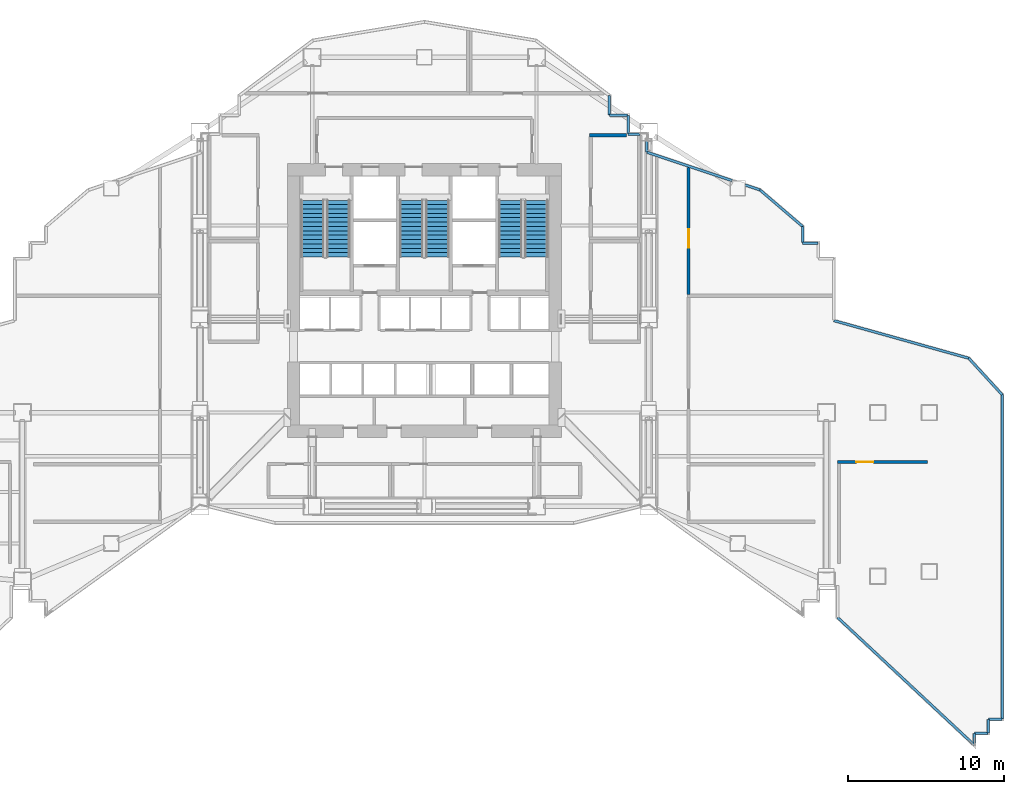
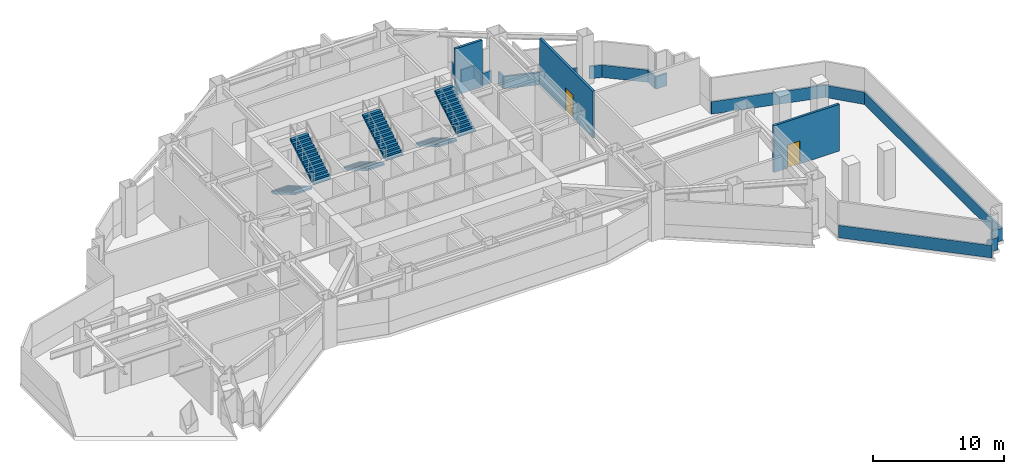
# One storey, part 16 of 23: 21 walls, 6 stair flights, 2 doors, 2 openings, 3 elements without a shape of their own.
"""IFC4 building model written with IfcOpenShell, lengths in metres."""

import ifcopenshell
import ifcopenshell.guid

model = None  # the IFC model being written
_history = None  # IfcOwnerHistory: only IFC2X3 demands one
_inside = {}  # id of a spatial element -> (the spatial element, [elements in it])
_under = {}  # id of a project, library or spatial element -> (it, [spatial elements below it])
_declared = {}  # id of a project -> (the project, [libraries it declares])
_typed = {}  # id of a type object -> (the type object, [elements of that type])
_made_of = {}  # id of a material, layer set ... -> (it, [elements and type objects made of it])


def new_model(schema):
    """Start an empty IFC model of exactly this schema.

    Asked for "IFC4X3", IfcOpenShell would pick the latest addendum, in which some entities
    have other attributes; the version numbers below select the first issue.
    IFC2X3 requires an IfcOwnerHistory on every rooted entity: one is made here for all.
    """
    global model, _history
    if schema == "IFC4X3":
        model = ifcopenshell.file(schema_version=(4, 3, 0, 0))
    else:
        model = ifcopenshell.file(schema=schema)
    _inside.clear()
    _under.clear()
    _declared.clear()
    _typed.clear()
    _made_of.clear()
    _history = None
    if model.schema == "IFC2X3":
        org = make("IfcOrganization", Name="unknown")
        user = make(
            "IfcPersonAndOrganization",
            ThePerson=make("IfcPerson", FamilyName="unknown"),
            TheOrganization=org,
        )
        app = make(
            "IfcApplication",
            ApplicationDeveloper=org,
            Version="unknown",
            ApplicationFullName="unknown",
            ApplicationIdentifier="unknown",
        )
        _history = make(
            "IfcOwnerHistory",
            OwningUser=user,
            OwningApplication=app,
            ChangeAction="ADDED",
            CreationDate=0,
        )
    return model


def make(cls, **values):
    """One entity of the class cls with the attributes given. An attribute that is None is left unset."""
    return model.create_entity(
        cls, **{name: value for name, value in values.items() if value is not None}
    )


def rooted(cls, **values):
    """An entity with a GlobalId (a new one), such as an element, a storey or a relation."""
    return make(cls, GlobalId=ifcopenshell.guid.new(), OwnerHistory=_history, **values)


def si_unit(unit_type, name, prefix=None):
    """IfcSIUnit, for example si_unit("LENGTHUNIT", "METRE", prefix="MILLI")."""
    return make("IfcSIUnit", UnitType=unit_type, Prefix=prefix, Name=name)


def assignment(units):
    """IfcUnitAssignment: the units of a project."""
    return None if units is None else make("IfcUnitAssignment", Units=units)


def point(xyz):
    """IfcCartesianPoint."""
    return None if xyz is None else make("IfcCartesianPoint", Coordinates=xyz)


def direction(xyz):
    """IfcDirection."""
    return None if xyz is None else make("IfcDirection", DirectionRatios=xyz)


def frame(location, z_axis=None, x_axis=None):
    """IfcAxis2Placement3D, a coordinate frame: its origin and axes. An axis left out is left unset."""
    return make(
        "IfcAxis2Placement3D",
        Location=point(location),
        Axis=direction(z_axis),
        RefDirection=direction(x_axis),
    )


def frame_2d(location, x_axis=None):
    """IfcAxis2Placement2D, a coordinate frame in the plane: its origin and x axis."""
    return make(
        "IfcAxis2Placement2D", Location=point(location), RefDirection=direction(x_axis)
    )


def origin():
    """The frame at (0, 0, 0) with its axes left unset."""
    return frame((0.0, 0.0, 0.0))


def place(relative_to, where):
    """IfcLocalPlacement: puts the frame where relative to a parent placement (None: the world)."""
    return make(
        "IfcLocalPlacement", PlacementRelTo=relative_to, RelativePlacement=where
    )


def context(
    kind, dimensions, precision=None, world=None, true_north=None, identifier=None
):
    """IfcGeometricRepresentationContext, for example the 3D "Model" context."""
    return make(
        "IfcGeometricRepresentationContext",
        ContextIdentifier=identifier,
        ContextType=kind,
        CoordinateSpaceDimension=dimensions,
        Precision=precision,
        WorldCoordinateSystem=world,
        TrueNorth=true_north,
    )


def subcontext(parent, identifier, kind, view, scale=None):
    """IfcGeometricRepresentationSubContext, for example "Body" below "Model"."""
    return make(
        "IfcGeometricRepresentationSubContext",
        ContextIdentifier=identifier,
        ContextType=kind,
        ParentContext=parent,
        TargetScale=scale,
        TargetView=view,
    )


def project(units=None, contexts=None):
    """IfcProject with its units and contexts."""
    return rooted(
        "IfcProject",
        Name="project",
        RepresentationContexts=contexts,
        UnitsInContext=assignment(units),
    )


def spatial(cls, under=None, at=None, **own):
    """A site, building, storey or space (cls), placed at a placement, below another one or the project."""
    s = rooted(cls, ObjectPlacement=at, **own)
    if under is not None:
        _under.setdefault(under.id(), (under, []))[1].append(s)
    return s


def polyline(points):
    """IfcPolyline through the points."""
    return make("IfcPolyline", Points=[point(p) for p in points])


def profile(cls, at=None, kind="AREA", **sizes):
    """A parametric profile (cls). Its sizes go by their IFC names, for example OverallWidth=200.0."""
    return make(cls, ProfileType=kind, Position=at, **sizes)


def rectangle(**sizes):
    """IfcRectangleProfileDef."""
    return profile("IfcRectangleProfileDef", **sizes)


def outline(outer, holes=None, kind="AREA"):
    """IfcArbitraryClosedProfileDef: a profile drawn as a closed curve; with holes, ...WithVoids."""
    if holes is None:
        return make("IfcArbitraryClosedProfileDef", ProfileType=kind, OuterCurve=outer)
    return make(
        "IfcArbitraryProfileDefWithVoids",
        ProfileType=kind,
        OuterCurve=outer,
        InnerCurves=holes,
    )


def extrude(swept, where, along, depth):
    """IfcExtrudedAreaSolid: the profile swept, set in the frame where, extruded along a direction by depth."""
    return make(
        "IfcExtrudedAreaSolid",
        SweptArea=swept,
        Position=where,
        ExtrudedDirection=direction(along),
        Depth=depth,
    )


def shape(context_of_items, identifier, shape_type, items):
    """IfcShapeRepresentation: the items that make up one representation, for example the "Body"."""
    return make(
        "IfcShapeRepresentation",
        ContextOfItems=context_of_items,
        RepresentationIdentifier=identifier,
        RepresentationType=shape_type,
        Items=items,
    )


def material(Name=None, Category=None):
    """IfcMaterial."""
    return make("IfcMaterial", Name=Name, Category=Category)


def layer(
    of_material, thickness, ventilated=None, Name=None, Category=None, Priority=None
):
    """IfcMaterialLayer: one layer of a wall or slab, of a material (None: an air gap)."""
    return make(
        "IfcMaterialLayer",
        Material=of_material,
        LayerThickness=thickness,
        IsVentilated=ventilated,
        Name=Name,
        Category=Category,
        Priority=Priority,
    )


def layer_set(layers, Name=None):
    """IfcMaterialLayerSet."""
    return make("IfcMaterialLayerSet", MaterialLayers=layers, LayerSetName=Name)


def made_of(thing, what):
    """Note that an element or type object is made of a material, layer set ...; save() writes the relation."""
    if what is not None:
        _made_of.setdefault(what.id(), (what, []))[1].append(thing)
    return thing


def type_object(cls, material=None, **own):
    """A type object (cls), such as IfcWallType, which elements share."""
    return made_of(rooted(cls, **own), material)


def element(
    cls,
    number,
    at=None,
    inside=None,
    cuts=None,
    type_object=None,
    material=None,
    context=None,
    identifier="Body",
    shape_type=None,
    held_by="IfcProductDefinitionShape",
    body=None,
    shapes=None,
    **own,
):
    """One element of the class cls, such as IfcWall. Its Tag is "e" and its number.

    at: its placement. inside: the storey or other place that contains it. cuts: it is an
    opening in that element (IfcRelVoidsElement). A single representation is given by context,
    identifier, shape_type and body (its items); several are given by shapes. held_by: the class
    of the entity that holds the representations. save() writes the other relations.
    """
    e = rooted(cls, Tag="e%d" % number, ObjectPlacement=at, **own)
    if body is not None:
        shapes = [shape(context, identifier, shape_type, body)]
    if shapes is not None:
        e.Representation = make(held_by, Representations=shapes)
    if inside is not None:
        _inside.setdefault(inside.id(), (inside, []))[1].append(e)
    if cuts is not None:
        rooted(
            "IfcRelVoidsElement", RelatingBuildingElement=cuts, RelatedOpeningElement=e
        )
    if type_object is not None:
        _typed.setdefault(type_object.id(), (type_object, []))[1].append(e)
    return made_of(e, material)


def fill(opening, filler):
    """IfcRelFillsElement: the door or window that sits in an opening."""
    return rooted(
        "IfcRelFillsElement",
        RelatingOpeningElement=opening,
        RelatedBuildingElement=filler,
    )


def aggregate(whole, parts):
    """IfcRelAggregates: a whole, such as a stair, and the parts it consists of."""
    return rooted("IfcRelAggregates", RelatingObject=whole, RelatedObjects=parts)


def save(model, path):
    """Write the relations noted so far, then the file.

    IfcRelAggregates (storeys below a building ...), IfcRelContainedInSpatialStructure (elements
    in a storey), IfcRelDefinesByType, IfcRelAssociatesMaterial and IfcRelDeclares: one each for
    every whole, place, type object, material and project.
    """
    for whole, parts in _under.values():
        aggregate(whole, parts)
    for where, things in _inside.values():
        rooted(
            "IfcRelContainedInSpatialStructure",
            RelatedElements=things,
            RelatingStructure=where,
        )
    for kind, things in _typed.values():
        rooted("IfcRelDefinesByType", RelatedObjects=things, RelatingType=kind)
    for what, things in _made_of.values():
        rooted("IfcRelAssociatesMaterial", RelatedObjects=things, RelatingMaterial=what)
    for by, libraries in _declared.values():
        rooted("IfcRelDeclares", RelatingContext=by, RelatedDefinitions=libraries)
    model.write(path)


model = new_model("IFC4")

# Units and contexts
model_context = context("Model", 3, precision=1e-05, world=origin(), true_north=direction((0.0, 1.0)))
body_context = subcontext(model_context, "Body", "Model", "MODEL_VIEW")
ifc_project = project(units=[si_unit("LENGTHUNIT", "METRE"), si_unit("AREAUNIT", "SQUARE_METRE"), si_unit("VOLUMEUNIT", "CUBIC_METRE"), si_unit("PLANEANGLEUNIT", "RADIAN"), si_unit("MASSUNIT", "GRAM", prefix="KILO")], contexts=[model_context])

# Site, building, storey
site_placement = place(None, origin())
site = spatial("IfcSite", under=ifc_project, at=site_placement, CompositionType="ELEMENT")
building_placement = place(site_placement, origin())
building = spatial("IfcBuilding", under=site, at=building_placement, Name="Haolan Belvedere Tower", CompositionType="ELEMENT")
storey_placement = place(building_placement, frame((0.0, 0.0, 89.39990234375)))
storey = spatial("IfcBuildingStorey", under=building, at=storey_placement, Name="L22", CompositionType="ELEMENT", Elevation=89.39990234375)

# Wall, opening, door
ifc_material_1 = material(Name="Concrete C40/50", Category="concrete")
ifc_layer_1 = layer(ifc_material_1, 0.199951171875, Name="Concrete C40/50")
ifc_layer_set_1 = layer_set([ifc_layer_1], Name="Concrete C40/50")
wall_type_1 = type_object("IfcWallType", Name="WL-FIRE-200", PredefinedType="SOLIDWALL", material=ifc_layer_set_1)
wall_1_placement = place(storey_placement, frame((55.360107421875, 35.18505859375, 0.0), z_axis=(0.0, 0.0, 1.0), x_axis=(0.0, 1.0, 0.0)))
wall_1 = element("IfcWall", 1, at=wall_1_placement, inside=storey, type_object=wall_type_1, Name="L22 interior partition IW-L22-REF-E2-W", PredefinedType="SOLIDWALL", context=body_context, shape_type="SweptSolid", body=[
    extrude(rectangle(XDim=8.13818359375, YDim=0.199951171875, at=frame_2d((4.069091796875, 0.0))), origin(), (0.0, 0.0, 1.0), 4.35009765625),
])
opening_1_placement = place(wall_1_placement, frame((2.9951171875, 0.0, 0.0)))
opening_1 = element("IfcOpeningElement", 2, at=opening_1_placement, cuts=wall_1, Name="Opening FD-02", PredefinedType="OPENING", context=body_context, shape_type="SweptSolid", body=[
    extrude(rectangle(XDim=1.199951171875, YDim=2.14990234375, at=frame_2d((0.60009765625, 1.074951171875))), frame((0.0, 0.10986328125, 0.0), z_axis=(0.0, -1.0, 0.0), x_axis=(1.0, 0.0, 0.0)), (0.0, 0.0, 1.0), 0.219970703125),
])
ifc_material_2 = material(Name="Galvanised fire-rated steel", Category="steel")
door_type_1 = type_object("IfcDoorType", Name="DR-FD90-1200", OperationType="NOTDEFINED", PredefinedType="DOOR", material=ifc_material_2)
door_1_placement = place(opening_1_placement, origin())
door_1 = element("IfcDoor", 3, at=door_1_placement, inside=storey, type_object=door_type_1, Name="L22 door ID-L22-REF-E2", OperationType="SINGLE_SWING_LEFT", OverallHeight=2.14990234375, OverallWidth=1.199951171875, PredefinedType="DOOR", context=body_context, shape_type="SweptSolid", body=[
    extrude(rectangle(XDim=1.199951171875, YDim=2.14990234375, at=frame_2d((0.60009765625, 1.074951171875))), frame((0.0, 0.02490234375, 0.0), z_axis=(0.0, -1.0, 0.0), x_axis=(1.0, 0.0, 0.0)), (0.0, 0.0, 1.0), 0.050048828125),
])
fill(opening_1, door_1)

# Wall
wall_2_placement = place(storey_placement, frame((49.0, 45.39990234375, 0.0), z_axis=(0.0, 0.0, 1.0), x_axis=(1.0, 0.0, 0.0)))
element("IfcWall", 4, at=wall_2_placement, inside=storey, type_object=wall_type_1, Name="L22 interior partition IW-L22-REF-EI2-N", PredefinedType="SOLIDWALL", context=body_context, shape_type="SweptSolid", body=[
    extrude(rectangle(XDim=2.387939453125, YDim=0.199951171875, at=frame_2d((1.19384765625, 0.0))), origin(), (0.0, 0.0, 1.0), 4.35009765625),
])

# Wall, opening, door
wall_3_placement = place(storey_placement, frame((64.919921875, 24.429931640625, 0.0), z_axis=(0.0, 0.0, 1.0), x_axis=(1.0, 0.0, 0.0)))
wall_3 = element("IfcWall", 5, at=wall_3_placement, inside=storey, type_object=wall_type_1, Name="L22 interior partition IW-L22-REF-ET5-N", PredefinedType="SOLIDWALL", context=body_context, shape_type="SweptSolid", body=[
    extrude(rectangle(XDim=5.760009765625, YDim=0.199951171875, at=frame_2d((2.8798828125, 0.0))), origin(), (0.0, 0.0, 1.0), 4.35009765625),
])
opening_2_placement = place(wall_3_placement, frame((2.300048828125, 0.0, 0.0), z_axis=(0.0, 0.0, 1.0), x_axis=(-1.0, 0.0, 0.0)))
opening_2 = element("IfcOpeningElement", 6, at=opening_2_placement, cuts=wall_3, Name="Opening FD-03", PredefinedType="OPENING", context=body_context, shape_type="SweptSolid", body=[
    extrude(rectangle(XDim=1.10009765625, YDim=2.14990234375, at=frame_2d((0.550048828125, 1.074951171875))), frame((0.0, 0.10986328125, 0.0), z_axis=(0.0, -1.0, 0.0), x_axis=(1.0, 0.0, 0.0)), (0.0, 0.0, 1.0), 0.219970703125),
])
door_type_2 = type_object("IfcDoorType", Name="DR-FD90-1100", OperationType="NOTDEFINED", PredefinedType="DOOR", material=ifc_material_2)
door_2_placement = place(opening_2_placement, origin())
door_2 = element("IfcDoor", 7, at=door_2_placement, inside=storey, type_object=door_type_2, Name="L22 door ID-L22-REF-ET5", OperationType="SINGLE_SWING_RIGHT", OverallHeight=2.14990234375, OverallWidth=1.10009765625, PredefinedType="DOOR", context=body_context, shape_type="SweptSolid", body=[
    extrude(rectangle(XDim=1.10009765625, YDim=2.14990234375, at=frame_2d((0.550048828125, 1.074951171875))), frame((0.0, 0.02490234375, 0.0), z_axis=(0.0, -1.0, 0.0), x_axis=(1.0, 0.0, 0.0)), (0.0, 0.0, 1.0), 0.050048828125),
])
fill(opening_2, door_2)

# Walls
ifc_material_3 = material(Name="Precast concrete C40/50", Category="concrete")
ifc_layer_2 = layer(ifc_material_3, 0.159912109375, Name="Precast concrete C40/50")
ifc_layer_set_2 = layer_set([ifc_layer_2], Name="Precast concrete C40/50")
wall_type_2 = type_object("IfcWallType", Name="WL-PAR-160", PredefinedType="PARAPET", material=ifc_layer_set_2)
wall_4_placement = place(storey_placement, frame((64.919921875, 14.4521484375, 0.0), z_axis=(0.0, 0.0, 1.0), x_axis=(0.731054590708, -0.682318976289, 0.0)))
element("IfcWall", 8, at=wall_4_placement, inside=storey, type_object=wall_type_2, Name="L22 refuge open-band parapet 21.1", PredefinedType="PARAPET", context=body_context, shape_type="SweptSolid", body=[
    extrude(rectangle(XDim=11.982666015625, YDim=0.159912109375, at=frame_2d((5.9912109375, 0.0))), origin(), (0.0, 0.0, 1.0), 1.150146484375),
])
wall_5_placement = place(storey_placement, frame((73.679931640625, 6.39599609375, 0.0), z_axis=(0.0, 0.0, 1.0), x_axis=(0.0, 1.0, 0.0)))
element("IfcWall", 9, at=wall_5_placement, inside=storey, type_object=wall_type_2, Name="L22 refuge open-band parapet 22.1", PredefinedType="PARAPET", context=body_context, shape_type="SweptSolid", body=[
    extrude(rectangle(XDim=0.6240234375, YDim=0.159912109375, at=frame_2d((0.31201171875, 0.0))), origin(), (0.0, 0.0, 1.0), 1.150146484375),
])
wall_6_placement = place(storey_placement, frame((73.7099609375, 7.02001953125, 0.0), z_axis=(0.0, 0.0, 1.0), x_axis=(1.0, 0.0, 0.0)))
element("IfcWall", 10, at=wall_6_placement, inside=storey, type_object=wall_type_2, Name="L22 refuge open-band parapet 23.1", PredefinedType="PARAPET", context=body_context, shape_type="SweptSolid", body=[
    extrude(rectangle(XDim=0.8701171875, YDim=0.159912109375, at=frame_2d((0.43505859375, 0.0))), origin(), (0.0, 0.0, 1.0), 1.150146484375),
])
for number, where, z_axis, x_axis, name in (
    (11, (74.580078125, 7.050048828125, 0.0), (0.0, 0.0, 1.0), (0.0, 1.0, 0.0), "L22 refuge open-band parapet 24.1"),
    (12, (74.610107421875, 7.919921875, 0.0), (0.0, 0.0, 1.0), (1.0, 0.0, 0.0), "L22 refuge open-band parapet 25.1"),
):
    element("IfcWall", number, at=place(storey_placement, frame(where, z_axis=z_axis, x_axis=x_axis)), inside=storey, type_object=wall_type_2, Name=name, PredefinedType="PARAPET", context=body_context, shape_type="SweptSolid", body=[
        extrude(rectangle(XDim=0.869873046875, YDim=0.159912109375, at=frame_2d((0.43505859375, 0.0))), origin(), (0.0, 0.0, 1.0), 1.150146484375),
    ])
wall_7_placement = place(storey_placement, frame((75.47998046875, 7.949951171875, 0.0), z_axis=(0.0, 0.0, 1.0), x_axis=(0.0, 1.0, 0.0)))
element("IfcWall", 13, at=wall_7_placement, inside=storey, type_object=wall_type_2, Name="L22 refuge open-band parapet 26.1", PredefinedType="PARAPET", context=body_context, shape_type="SweptSolid", body=[
    extrude(rectangle(XDim=20.803466796875, YDim=0.159912109375, at=frame_2d((10.40185546875, 0.0))), origin(), (0.0, 0.0, 1.0), 1.150146484375),
])
wall_8_placement = place(storey_placement, frame((75.47998046875, 28.75341796875, 0.0), z_axis=(0.0, 0.0, 1.0), x_axis=(-0.675755969938, 0.737125409339, 0.0)))
element("IfcWall", 14, at=wall_8_placement, inside=storey, type_object=wall_type_2, Name="L22 refuge open-band parapet 27.1", PredefinedType="PARAPET", context=body_context, shape_type="SweptSolid", body=[
    extrude(rectangle(XDim=3.174560546875, YDim=0.159912109375, at=frame_2d((1.58740234375, 0.0))), origin(), (0.0, 0.0, 1.0), 1.150146484375),
])
wall_9_placement = place(storey_placement, frame((73.334716796875, 31.093505859375, 0.0), z_axis=(0.0, 0.0, 1.0), x_axis=(-0.963196464929, 0.268798381595, 0.0)))
element("IfcWall", 15, at=wall_9_placement, inside=storey, type_object=wall_type_2, Name="L22 refuge open-band parapet 28.1", PredefinedType="PARAPET", context=body_context, shape_type="SweptSolid", body=[
    extrude(rectangle(XDim=8.985595703125, YDim=0.159912109375, at=frame_2d((4.49267578125, 0.0))), origin(), (0.0, 0.0, 1.0), 1.150146484375),
])
wall_10_placement = place(storey_placement, frame((63.64990234375, 38.47998046875, 0.0), z_axis=(0.0, 0.0, 1.0), x_axis=(-1.0, 0.0, 0.0)))
element("IfcWall", 16, at=wall_10_placement, inside=storey, type_object=wall_type_2, Name="L22 refuge open-band parapet 32.1", PredefinedType="PARAPET", context=body_context, shape_type="SweptSolid", body=[
    extrude(rectangle(XDim=0.969970703125, YDim=0.159912109375, at=frame_2d((0.48486328125, 0.0))), origin(), (0.0, 0.0, 1.0), 1.150146484375),
])
wall_11_placement = place(storey_placement, frame((62.679931640625, 38.510009765625, 0.0), z_axis=(0.0, 0.0, 1.0), x_axis=(0.0, 1.0, 0.0)))
element("IfcWall", 17, at=wall_11_placement, inside=storey, type_object=wall_type_2, Name="L22 refuge open-band parapet 33.1", PredefinedType="PARAPET", context=body_context, shape_type="SweptSolid", body=[
    extrude(rectangle(XDim=1.034912109375, YDim=0.159912109375, at=frame_2d((0.517578125, 0.0))), origin(), (0.0, 0.0, 1.0), 1.150146484375),
])
wall_12_placement = place(storey_placement, frame((62.679931640625, 39.544921875, 0.0), z_axis=(0.0, 0.0, 1.0), x_axis=(-0.759275702513, 0.650769089289, 0.0)))
element("IfcWall", 18, at=wall_12_placement, inside=storey, type_object=wall_type_2, Name="L22 refuge open-band parapet 34.1", PredefinedType="PARAPET", context=body_context, shape_type="SweptSolid", body=[
    extrude(rectangle(XDim=3.609130859375, YDim=0.159912109375, at=frame_2d((1.8046875, 0.0))), origin(), (0.0, 0.0, 1.0), 1.150146484375),
])
wall_13_placement = place(storey_placement, frame((59.939697265625, 41.8935546875, 0.0), z_axis=(0.0, 0.0, 1.0), x_axis=(-0.948683298051, 0.316227766017, 0.0)))
element("IfcWall", 19, at=wall_13_placement, inside=storey, type_object=wall_type_2, Name="L22 refuge open-band parapet 35.1", PredefinedType="PARAPET", context=body_context, shape_type="SweptSolid", body=[
    extrude(rectangle(XDim=0.9990234375, YDim=0.159912109375, at=frame_2d((0.49951171875, 0.0))), origin(), (0.0, 0.0, 1.0), 1.150146484375),
])
wall_14_placement = place(storey_placement, frame((58.14453125, 42.491943359375, 0.0), z_axis=(0.0, 0.0, 1.0), x_axis=(-0.948683298051, 0.316227766017, 0.0)))
element("IfcWall", 20, at=wall_14_placement, inside=storey, type_object=wall_type_2, Name="L22 refuge open-band parapet 35.2", PredefinedType="PARAPET", context=body_context, shape_type="SweptSolid", body=[
    extrude(rectangle(XDim=5.76025390625, YDim=0.159912109375, at=frame_2d((2.880126953125, 0.0))), origin(), (0.0, 0.0, 1.0), 1.150146484375),
])
wall_15_placement = place(storey_placement, frame((52.679931640625, 44.343505859375, 0.0), z_axis=(0.0, 0.0, 1.0), x_axis=(0.0, 1.0, 0.0)))
element("IfcWall", 21, at=wall_15_placement, inside=storey, type_object=wall_type_2, Name="L22 refuge open-band parapet 36.1", PredefinedType="PARAPET", context=body_context, shape_type="SweptSolid", body=[
    extrude(rectangle(XDim=0.689453125, YDim=0.159912109375, at=frame_2d((0.3447265625, 0.0))), origin(), (0.0, 0.0, 1.0), 1.150146484375),
])
wall_16_placement = place(storey_placement, frame((52.23291015625, 45.47998046875, 0.0), z_axis=(0.0, 0.0, 1.0), x_axis=(-1.0, 0.0, 0.0)))
element("IfcWall", 22, at=wall_16_placement, inside=storey, type_object=wall_type_2, Name="L22 refuge open-band parapet 37.1", PredefinedType="PARAPET", context=body_context, shape_type="SweptSolid", body=[
    extrude(rectangle(XDim=0.7529296875, YDim=0.159912109375, at=frame_2d((0.37646484375, 0.0))), origin(), (0.0, 0.0, 1.0), 1.150146484375),
])
for number, where, z_axis, x_axis, name in (
    (23, (51.47998046875, 45.510009765625, 0.0), (0.0, 0.0, 1.0), (0.0, 1.0, 0.0), "L22 refuge open-band parapet 38.1"),
    (24, (51.449951171875, 46.679931640625, 0.0), (0.0, 0.0, 1.0), (-1.0, 0.0, 0.0), "L22 refuge open-band parapet 39.1"),
):
    element("IfcWall", number, at=place(storey_placement, frame(where, z_axis=z_axis, x_axis=x_axis)), inside=storey, type_object=wall_type_2, Name=name, PredefinedType="PARAPET", context=body_context, shape_type="SweptSolid", body=[
        extrude(rectangle(XDim=1.169921875, YDim=0.159912109375, at=frame_2d((0.5849609375, 0.0))), origin(), (0.0, 0.0, 1.0), 1.150146484375),
    ])
wall_17_placement = place(storey_placement, frame((50.280029296875, 46.7099609375, 0.0), z_axis=(0.0, 0.0, 1.0), x_axis=(0.0, 1.0, 0.0)))
element("IfcWall", 25, at=wall_17_placement, inside=storey, type_object=wall_type_2, Name="L22 refuge open-band parapet 40.1", PredefinedType="PARAPET", context=body_context, shape_type="SweptSolid", body=[
    extrude(rectangle(XDim=1.22998046875, YDim=0.159912109375, at=frame_2d((0.614990234375, 0.0))), origin(), (0.0, 0.0, 1.0), 1.150146484375),
])

# Stair, stair flights
stair_type = type_object("IfcStairType", Name="STR-DL-28R-164", PredefinedType="HALF_TURN_STAIR", material=ifc_material_1)
stair_1_placement = place(storey_placement, origin())
stair_1 = element("IfcStair", 26, at=stair_1_placement, inside=storey, type_object=stair_type, Name="L22 Smokeproof Core Exit Stair ST1", PredefinedType="HALF_TURN_STAIR")
stair_flight_type = type_object("IfcStairFlightType", Name="SFL-DL-14R-164", PredefinedType="STRAIGHT", material=ifc_material_1)
stair_flight_1_placement = place(storey_placement, frame((31.2099609375, 41.22998046875, 0.0), z_axis=(0.0, 0.0, 1.0), x_axis=(0.0, -1.0, 0.0)))
stair_flight_1 = element("IfcStairFlight", 27, at=stair_flight_1_placement, type_object=stair_flight_type, Name="ST1 flight 1", NumberOfRisers=14, NumberOfTreads=13, PredefinedType="STRAIGHT", RiserHeight=0.164285714, TreadLength=0.28, context=body_context, shape_type="SweptSolid", body=[
    extrude(outline(polyline([(0.0, 0.0), (0.0, 0.164306640625), (0.280029296875, 0.164306640625), (0.280029296875, 0.32861328125), (0.56005859375, 0.32861328125), (0.56005859375, 0.492919921875), (0.840087890625, 0.492919921875), (0.840087890625, 0.6572265625), (1.1201171875, 0.6572265625), (1.1201171875, 0.821533203125), (1.39990234375, 0.821533203125), (1.39990234375, 0.985595703125), (1.679931640625, 0.985595703125), (1.679931640625, 1.14990234375), (1.9599609375, 1.14990234375), (1.9599609375, 1.314208984375), (2.239990234375, 1.314208984375), (2.239990234375, 1.478515625), (2.52001953125, 1.478515625), (2.52001953125, 1.642822265625), (2.800048828125, 1.642822265625), (2.800048828125, 1.80712890625), (3.080078125, 1.80712890625), (3.080078125, 1.971435546875), (3.360107421875, 1.971435546875), (3.360107421875, 2.1357421875), (3.639892578125, 2.1357421875), (3.639892578125, 2.300048828125), (3.639892578125, 1.9619140625), (0.296142578125, 0.0), (0.0, 0.0)])), frame((0.0, 0.760009765625, 0.0), z_axis=(0.0, -1.0, 0.0), x_axis=(1.0, 0.0, 0.0)), (0.0, 0.0, 1.0), 1.52001953125),
])
stair_flight_2_placement = place(storey_placement, frame((32.8701171875, 37.590087890625, 2.300048828125), z_axis=(0.0, 0.0, 1.0), x_axis=(0.0, 1.0, 0.0)))
stair_flight_2 = element("IfcStairFlight", 28, at=stair_flight_2_placement, type_object=stair_flight_type, Name="ST1 flight 2", NumberOfRisers=14, NumberOfTreads=13, PredefinedType="STRAIGHT", RiserHeight=0.164285714, TreadLength=0.28, context=body_context, shape_type="SweptSolid", body=[
    extrude(outline(polyline([(0.0, 0.0), (0.0, 0.164306640625), (0.280029296875, 0.164306640625), (0.280029296875, 0.32861328125), (0.56005859375, 0.32861328125), (0.56005859375, 0.492919921875), (0.840087890625, 0.492919921875), (0.840087890625, 0.6572265625), (1.1201171875, 0.6572265625), (1.1201171875, 0.821533203125), (1.39990234375, 0.821533203125), (1.39990234375, 0.985595703125), (1.679931640625, 0.985595703125), (1.679931640625, 1.14990234375), (1.9599609375, 1.14990234375), (1.9599609375, 1.314208984375), (2.239990234375, 1.314208984375), (2.239990234375, 1.478515625), (2.52001953125, 1.478515625), (2.52001953125, 1.642822265625), (2.800048828125, 1.642822265625), (2.800048828125, 1.80712890625), (3.080078125, 1.80712890625), (3.080078125, 1.971435546875), (3.360107421875, 1.971435546875), (3.360107421875, 2.1357421875), (3.639892578125, 2.1357421875), (3.639892578125, 2.300048828125), (3.639892578125, 1.9619140625), (0.296142578125, 0.0), (0.0, 0.0)])), frame((0.0, 0.760009765625, 0.0), z_axis=(0.0, -1.0, 0.0), x_axis=(1.0, 0.0, 0.0)), (0.0, 0.0, 1.0), 1.52001953125),
])
aggregate(stair_1, [stair_flight_1, stair_flight_2])

stair_2_placement = place(storey_placement, origin())
stair_2 = element("IfcStair", 29, at=stair_2_placement, inside=storey, type_object=stair_type, Name="L22 Smokeproof Core Exit Stair ST3", PredefinedType="HALF_TURN_STAIR")
stair_flight_3_placement = place(storey_placement, frame((37.570068359375, 41.22998046875, 0.0), z_axis=(0.0, 0.0, 1.0), x_axis=(0.0, -1.0, 0.0)))
stair_flight_3 = element("IfcStairFlight", 30, at=stair_flight_3_placement, type_object=stair_flight_type, Name="ST3 flight 1", NumberOfRisers=14, NumberOfTreads=13, PredefinedType="STRAIGHT", RiserHeight=0.164285714, TreadLength=0.28, context=body_context, shape_type="SweptSolid", body=[
    extrude(outline(polyline([(0.0, 0.0), (0.0, 0.164306640625), (0.280029296875, 0.164306640625), (0.280029296875, 0.32861328125), (0.56005859375, 0.32861328125), (0.56005859375, 0.492919921875), (0.840087890625, 0.492919921875), (0.840087890625, 0.6572265625), (1.1201171875, 0.6572265625), (1.1201171875, 0.821533203125), (1.39990234375, 0.821533203125), (1.39990234375, 0.985595703125), (1.679931640625, 0.985595703125), (1.679931640625, 1.14990234375), (1.9599609375, 1.14990234375), (1.9599609375, 1.314208984375), (2.239990234375, 1.314208984375), (2.239990234375, 1.478515625), (2.52001953125, 1.478515625), (2.52001953125, 1.642822265625), (2.800048828125, 1.642822265625), (2.800048828125, 1.80712890625), (3.080078125, 1.80712890625), (3.080078125, 1.971435546875), (3.360107421875, 1.971435546875), (3.360107421875, 2.1357421875), (3.639892578125, 2.1357421875), (3.639892578125, 2.300048828125), (3.639892578125, 1.9619140625), (0.296142578125, 0.0), (0.0, 0.0)])), frame((0.0, 0.760009765625, 0.0), z_axis=(0.0, -1.0, 0.0), x_axis=(1.0, 0.0, 0.0)), (0.0, 0.0, 1.0), 1.52001953125),
])
stair_flight_4_placement = place(storey_placement, frame((39.22998046875, 37.590087890625, 2.300048828125), z_axis=(0.0, 0.0, 1.0), x_axis=(0.0, 1.0, 0.0)))
stair_flight_4 = element("IfcStairFlight", 31, at=stair_flight_4_placement, type_object=stair_flight_type, Name="ST3 flight 2", NumberOfRisers=14, NumberOfTreads=13, PredefinedType="STRAIGHT", RiserHeight=0.164285714, TreadLength=0.28, context=body_context, shape_type="SweptSolid", body=[
    extrude(outline(polyline([(0.0, 0.0), (0.0, 0.164306640625), (0.280029296875, 0.164306640625), (0.280029296875, 0.32861328125), (0.56005859375, 0.32861328125), (0.56005859375, 0.492919921875), (0.840087890625, 0.492919921875), (0.840087890625, 0.6572265625), (1.1201171875, 0.6572265625), (1.1201171875, 0.821533203125), (1.39990234375, 0.821533203125), (1.39990234375, 0.985595703125), (1.679931640625, 0.985595703125), (1.679931640625, 1.14990234375), (1.9599609375, 1.14990234375), (1.9599609375, 1.314208984375), (2.239990234375, 1.314208984375), (2.239990234375, 1.478515625), (2.52001953125, 1.478515625), (2.52001953125, 1.642822265625), (2.800048828125, 1.642822265625), (2.800048828125, 1.80712890625), (3.080078125, 1.80712890625), (3.080078125, 1.971435546875), (3.360107421875, 1.971435546875), (3.360107421875, 2.1357421875), (3.639892578125, 2.1357421875), (3.639892578125, 2.300048828125), (3.639892578125, 1.9619140625), (0.296142578125, 0.0), (0.0, 0.0)])), frame((0.0, 0.760009765625, 0.0), z_axis=(0.0, -1.0, 0.0), x_axis=(1.0, 0.0, 0.0)), (0.0, 0.0, 1.0), 1.52001953125),
])
aggregate(stair_2, [stair_flight_3, stair_flight_4])

stair_3_placement = place(storey_placement, origin())
stair_3 = element("IfcStair", 32, at=stair_3_placement, inside=storey, type_object=stair_type, Name="L22 Smokeproof Core Exit Stair ST2", PredefinedType="HALF_TURN_STAIR")
stair_flight_5_placement = place(storey_placement, frame((43.929931640625, 41.22998046875, 0.0), z_axis=(0.0, 0.0, 1.0), x_axis=(0.0, -1.0, 0.0)))
stair_flight_5 = element("IfcStairFlight", 33, at=stair_flight_5_placement, type_object=stair_flight_type, Name="ST2 flight 1", NumberOfRisers=14, NumberOfTreads=13, PredefinedType="STRAIGHT", RiserHeight=0.164285714, TreadLength=0.28, context=body_context, shape_type="SweptSolid", body=[
    extrude(outline(polyline([(0.0, 0.0), (0.0, 0.164306640625), (0.280029296875, 0.164306640625), (0.280029296875, 0.32861328125), (0.56005859375, 0.32861328125), (0.56005859375, 0.492919921875), (0.840087890625, 0.492919921875), (0.840087890625, 0.6572265625), (1.1201171875, 0.6572265625), (1.1201171875, 0.821533203125), (1.39990234375, 0.821533203125), (1.39990234375, 0.985595703125), (1.679931640625, 0.985595703125), (1.679931640625, 1.14990234375), (1.9599609375, 1.14990234375), (1.9599609375, 1.314208984375), (2.239990234375, 1.314208984375), (2.239990234375, 1.478515625), (2.52001953125, 1.478515625), (2.52001953125, 1.642822265625), (2.800048828125, 1.642822265625), (2.800048828125, 1.80712890625), (3.080078125, 1.80712890625), (3.080078125, 1.971435546875), (3.360107421875, 1.971435546875), (3.360107421875, 2.1357421875), (3.639892578125, 2.1357421875), (3.639892578125, 2.300048828125), (3.639892578125, 1.9619140625), (0.296142578125, 0.0), (0.0, 0.0)])), frame((0.0, 0.760009765625, 0.0), z_axis=(0.0, -1.0, 0.0), x_axis=(1.0, 0.0, 0.0)), (0.0, 0.0, 1.0), 1.52001953125),
])
stair_flight_6_placement = place(storey_placement, frame((45.590087890625, 37.590087890625, 2.300048828125), z_axis=(0.0, 0.0, 1.0), x_axis=(0.0, 1.0, 0.0)))
stair_flight_6 = element("IfcStairFlight", 34, at=stair_flight_6_placement, type_object=stair_flight_type, Name="ST2 flight 2", NumberOfRisers=14, NumberOfTreads=13, PredefinedType="STRAIGHT", RiserHeight=0.164285714, TreadLength=0.28, context=body_context, shape_type="SweptSolid", body=[
    extrude(outline(polyline([(0.0, 0.0), (0.0, 0.164306640625), (0.280029296875, 0.164306640625), (0.280029296875, 0.32861328125), (0.56005859375, 0.32861328125), (0.56005859375, 0.492919921875), (0.840087890625, 0.492919921875), (0.840087890625, 0.6572265625), (1.1201171875, 0.6572265625), (1.1201171875, 0.821533203125), (1.39990234375, 0.821533203125), (1.39990234375, 0.985595703125), (1.679931640625, 0.985595703125), (1.679931640625, 1.14990234375), (1.9599609375, 1.14990234375), (1.9599609375, 1.314208984375), (2.239990234375, 1.314208984375), (2.239990234375, 1.478515625), (2.52001953125, 1.478515625), (2.52001953125, 1.642822265625), (2.800048828125, 1.642822265625), (2.800048828125, 1.80712890625), (3.080078125, 1.80712890625), (3.080078125, 1.971435546875), (3.360107421875, 1.971435546875), (3.360107421875, 2.1357421875), (3.639892578125, 2.1357421875), (3.639892578125, 2.300048828125), (3.639892578125, 1.9619140625), (0.296142578125, 0.0), (0.0, 0.0)])), frame((0.0, 0.760009765625, 0.0), z_axis=(0.0, -1.0, 0.0), x_axis=(1.0, 0.0, 0.0)), (0.0, 0.0, 1.0), 1.52001953125),
])
aggregate(stair_3, [stair_flight_5, stair_flight_6])

save(model, "model.ifc")
